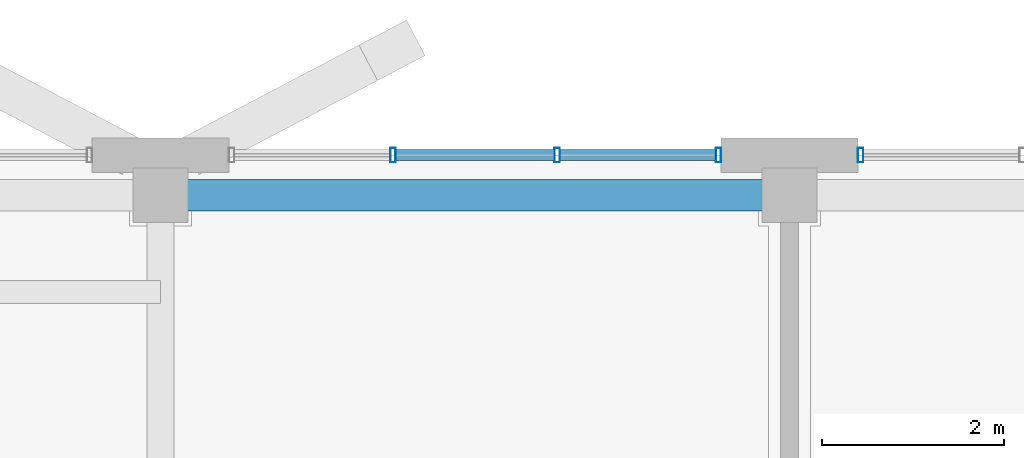
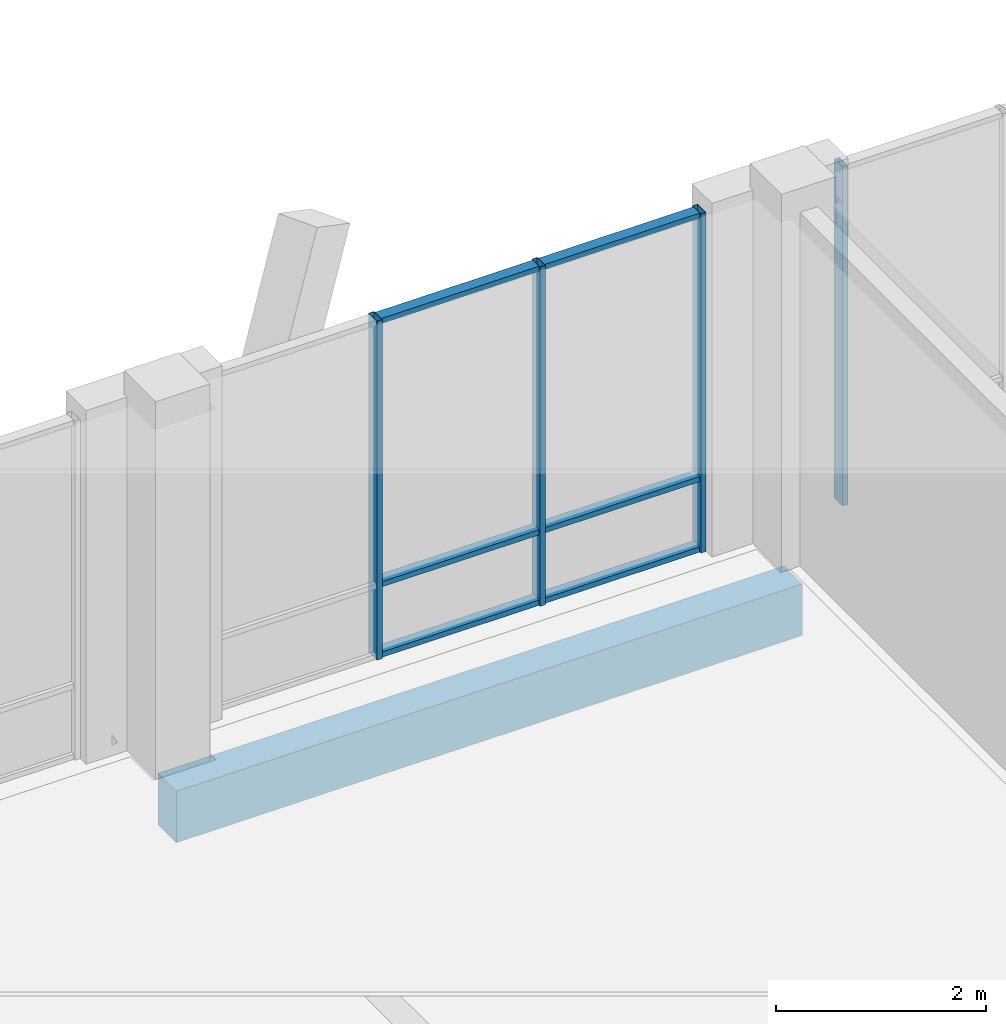
# One storey, part 106 of 233: 10 members, 1 beam, 2 elements without a shape of their own.
"""IFC4 building model written with IfcOpenShell, lengths in metres."""

from ifc_helpers import new_model, si_unit, direction, frame, origin, origin_2d, place, context, subcontext, project, spatial, rectangle, hollow_rectangle, extrude, material, material_profile, profile_set, type_object, element, aggregate, save


model = new_model("IFC4")

# Units and contexts
model_context = context("Model", 3, precision=1e-05, world=origin(), true_north=direction((0.0, 1.0)))
body_context = subcontext(model_context, "Body", "Model", "MODEL_VIEW")
ifc_project = project(units=[si_unit("LENGTHUNIT", "METRE"), si_unit("AREAUNIT", "SQUARE_METRE"), si_unit("VOLUMEUNIT", "CUBIC_METRE"), si_unit("PLANEANGLEUNIT", "RADIAN"), si_unit("MASSUNIT", "GRAM", prefix="KILO")], contexts=[model_context])

# Site, building, storey
site_placement = place(None, origin())
site = spatial("IfcSite", under=ifc_project, at=site_placement, CompositionType="ELEMENT")
building_placement = place(site_placement, origin())
building = spatial("IfcBuilding", under=site, at=building_placement, Name="Zavelmont Quarter", CompositionType="ELEMENT")
storey_placement = place(building_placement, origin())
storey = spatial("IfcBuildingStorey", under=building, at=storey_placement, Name="L00", CompositionType="ELEMENT", Elevation=0.0)

# Beam
ifc_material_1 = material(Name="Concrete C35/45", Category="concrete")
ifc_material_profile_1 = material_profile(ifc_material_1, rectangle(XDim=0.35009765625, YDim=0.60009765625, at=origin_2d()), Name="RC350X600")
ifc_profile_set_1 = profile_set([ifc_material_profile_1], Name="Concrete C35/45")
beam_type = type_object("IfcBeamType", Name="BM01", PredefinedType="SPANDREL", material=ifc_profile_set_1)
beam_placement = place(storey_placement, frame((6.89990234375, 115.56005859375, -0.6201171875), z_axis=(1.0, 0.0, 0.0), x_axis=(0.0, 1.0, 0.0)))
element("IfcBeam", 1, at=beam_placement, inside=storey, type_object=beam_type, Name="L00 beam BM01 2/S to 3/S", PredefinedType="SPANDREL", context=body_context, shape_type="SweptSolid", body=[
    extrude(rectangle(XDim=0.35009765625, YDim=0.60009765625, at=origin_2d()), origin(), (0.0, 0.0, 1.0), 6.900146484375),
])

# Curtain wall, members
ifc_material_2 = material(Name="Thermally broken aluminium and double low-E safety glazing", Category="aluminium")
curtain_wall_type = type_object("IfcCurtainWallType", Name="CW-540X395", PredefinedType="NOTDEFINED", material=ifc_material_2)
curtain_wall_1_placement = place(storey_placement, origin())
curtain_wall_1 = element("IfcCurtainWall", 2, at=curtain_wall_1_placement, inside=storey, type_object=curtain_wall_type, Name="L00 unitised curtain wall CW-540X395", PredefinedType="NOTDEFINED")
ifc_material_3 = material(Name="Powder-coated aluminium EN AW-6063-T6", Category="aluminium")
ifc_material_profile_2 = material_profile(ifc_material_3, hollow_rectangle(XDim=0.06005859375, YDim=0.159912109375, WallThickness=0.00390625, at=origin_2d()), Name="CWM60X160")
ifc_profile_set_2 = profile_set([ifc_material_profile_2], Name="Powder-coated aluminium EN AW-6063-T6")
member_type_1 = type_object("IfcMemberType", Name="CWM01", PredefinedType="MULLION", material=ifc_profile_set_2)
member_1_placement = place(storey_placement, frame((9.449951171875, 116.0, 0.0), z_axis=(0.0, 0.0, 1.0), x_axis=(1.0, 0.0, 0.0)))
member_1 = element("IfcMember", 3, at=member_1_placement, type_object=member_type_1, Name="CW-540X395 mullion 2", PredefinedType="MULLION", context=body_context, shape_type="SweptSolid", body=[
    extrude(hollow_rectangle(XDim=0.06005859375, YDim=0.159912109375, WallThickness=0.00390625, at=origin_2d()), origin(), (0.0, 0.0, 1.0), 3.949951171875),
])
member_2_placement = place(storey_placement, frame((11.25, 116.0, 0.0), z_axis=(0.0, 0.0, 1.0), x_axis=(1.0, 0.0, 0.0)))
member_2 = element("IfcMember", 4, at=member_2_placement, type_object=member_type_1, Name="CW-540X395 mullion 3", PredefinedType="MULLION", context=body_context, shape_type="SweptSolid", body=[
    extrude(hollow_rectangle(XDim=0.06005859375, YDim=0.159912109375, WallThickness=0.00390625, at=origin_2d()), origin(), (0.0, 0.0, 1.0), 3.949951171875),
])
member_3_placement = place(storey_placement, frame((13.02001953125, 116.0, 0.0), z_axis=(0.0, 0.0, 1.0), x_axis=(1.0, 0.0, 0.0)))
member_3 = element("IfcMember", 5, at=member_3_placement, type_object=member_type_1, Name="CW-540X395 mullion 4", PredefinedType="MULLION", context=body_context, shape_type="SweptSolid", body=[
    extrude(hollow_rectangle(XDim=0.06005859375, YDim=0.159912109375, WallThickness=0.00390625, at=origin_2d()), origin(), (0.0, 0.0, 1.0), 3.949951171875),
])

# Curtain wall, member
curtain_wall_2_placement = place(storey_placement, origin())
curtain_wall_2 = element("IfcCurtainWall", 6, at=curtain_wall_2_placement, inside=storey, type_object=curtain_wall_type, Name="L00 unitised curtain wall CW-540X395", PredefinedType="NOTDEFINED")
member_4_placement = place(storey_placement, frame((14.580078125, 116.0, 0.0), z_axis=(0.0, 0.0, 1.0), x_axis=(1.0, 0.0, 0.0)))
member_4 = element("IfcMember", 7, at=member_4_placement, type_object=member_type_1, Name="CW-540X395 mullion 1", PredefinedType="MULLION", context=body_context, shape_type="SweptSolid", body=[
    extrude(hollow_rectangle(XDim=0.06005859375, YDim=0.159912109375, WallThickness=0.00390625, at=origin_2d()), origin(), (0.0, 0.0, 1.0), 3.949951171875),
])
aggregate(curtain_wall_2, [member_4])

# Member
ifc_material_profile_3 = material_profile(ifc_material_3, hollow_rectangle(XDim=0.1201171875, YDim=0.06005859375, WallThickness=0.00390625, at=origin_2d()), Name="CWT60X120")
ifc_profile_set_3 = profile_set([ifc_material_profile_3], Name="Powder-coated aluminium EN AW-6063-T6")
member_type_2 = type_object("IfcMemberType", Name="CWT01", PredefinedType="NOTDEFINED", material=ifc_profile_set_3)
member_5_placement = place(storey_placement, frame((9.47998046875, 116.0, 0.030029296875), z_axis=(1.0, 0.0, 0.0), x_axis=(0.0, 1.0, 0.0)))
member_5 = element("IfcMember", 8, at=member_5_placement, type_object=member_type_2, Name="CW-540X395 transom 2.1", ObjectType="TRANSOM", PredefinedType="USERDEFINED", context=body_context, shape_type="SweptSolid", body=[
    extrude(hollow_rectangle(XDim=0.1201171875, YDim=0.06005859375, WallThickness=0.00390625, at=origin_2d()), origin(), (0.0, 0.0, 1.0), 1.739990234375),
])

member_6_placement = place(storey_placement, frame((9.47998046875, 116.0, 0.85009765625), z_axis=(1.0, 0.0, 0.0), x_axis=(0.0, 1.0, 0.0)))
member_6 = element("IfcMember", 9, at=member_6_placement, type_object=member_type_2, Name="CW-540X395 transom 2.2", ObjectType="TRANSOM", PredefinedType="USERDEFINED", context=body_context, shape_type="SweptSolid", body=[
    extrude(hollow_rectangle(XDim=0.1201171875, YDim=0.06005859375, WallThickness=0.00390625, at=origin_2d()), origin(), (0.0, 0.0, 1.0), 1.739990234375),
])

member_7_placement = place(storey_placement, frame((9.47998046875, 116.0, 3.919921875), z_axis=(1.0, 0.0, 0.0), x_axis=(0.0, 1.0, 0.0)))
member_7 = element("IfcMember", 10, at=member_7_placement, type_object=member_type_2, Name="CW-540X395 transom 2.3", ObjectType="TRANSOM", PredefinedType="USERDEFINED", context=body_context, shape_type="SweptSolid", body=[
    extrude(hollow_rectangle(XDim=0.1201171875, YDim=0.06005859375, WallThickness=0.00390625, at=origin_2d()), origin(), (0.0, 0.0, 1.0), 1.739990234375),
])

member_8_placement = place(storey_placement, frame((11.280029296875, 116.0, 0.030029296875), z_axis=(1.0, 0.0, 0.0), x_axis=(0.0, 1.0, 0.0)))
member_8 = element("IfcMember", 11, at=member_8_placement, type_object=member_type_2, Name="CW-540X395 transom 3.1", ObjectType="TRANSOM", PredefinedType="USERDEFINED", context=body_context, shape_type="SweptSolid", body=[
    extrude(hollow_rectangle(XDim=0.1201171875, YDim=0.06005859375, WallThickness=0.00390625, at=origin_2d()), origin(), (0.0, 0.0, 1.0), 1.7099609375),
])

member_9_placement = place(storey_placement, frame((11.280029296875, 116.0, 0.85009765625), z_axis=(1.0, 0.0, 0.0), x_axis=(0.0, 1.0, 0.0)))
member_9 = element("IfcMember", 12, at=member_9_placement, type_object=member_type_2, Name="CW-540X395 transom 3.2", ObjectType="TRANSOM", PredefinedType="USERDEFINED", context=body_context, shape_type="SweptSolid", body=[
    extrude(hollow_rectangle(XDim=0.1201171875, YDim=0.06005859375, WallThickness=0.00390625, at=origin_2d()), origin(), (0.0, 0.0, 1.0), 1.7099609375),
])

member_10_placement = place(storey_placement, frame((11.280029296875, 116.0, 3.919921875), z_axis=(1.0, 0.0, 0.0), x_axis=(0.0, 1.0, 0.0)))
member_10 = element("IfcMember", 13, at=member_10_placement, type_object=member_type_2, Name="CW-540X395 transom 3.3", ObjectType="TRANSOM", PredefinedType="USERDEFINED", context=body_context, shape_type="SweptSolid", body=[
    extrude(hollow_rectangle(XDim=0.1201171875, YDim=0.06005859375, WallThickness=0.00390625, at=origin_2d()), origin(), (0.0, 0.0, 1.0), 1.7099609375),
])

aggregate(curtain_wall_1, [member_1, member_2, member_3, member_5, member_6, member_7, member_8, member_9, member_10])

save(model, "model.ifc")
